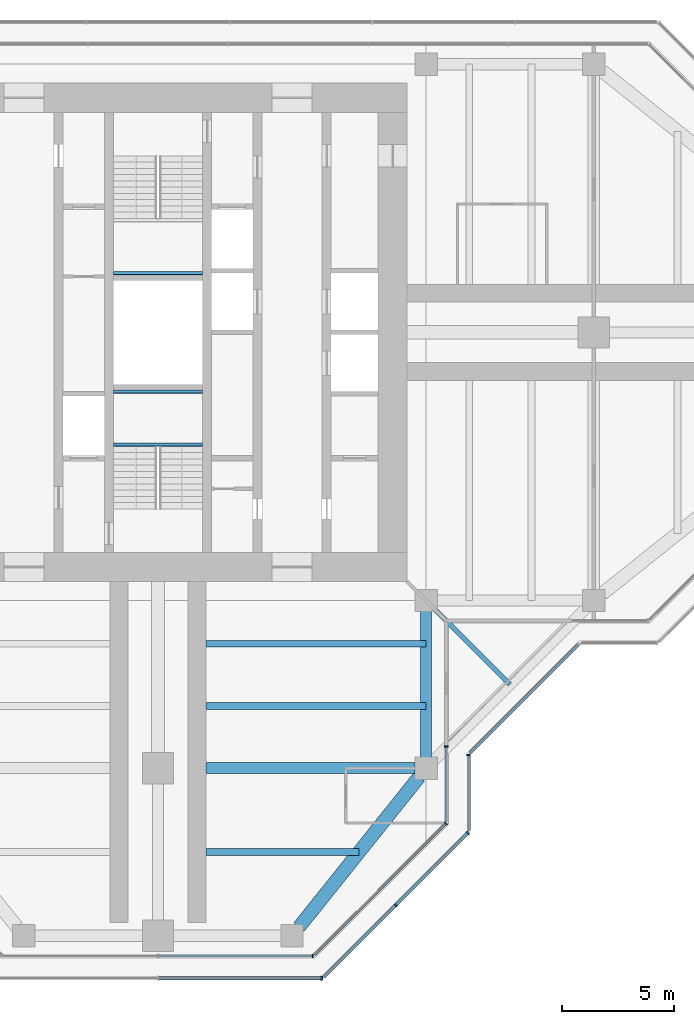
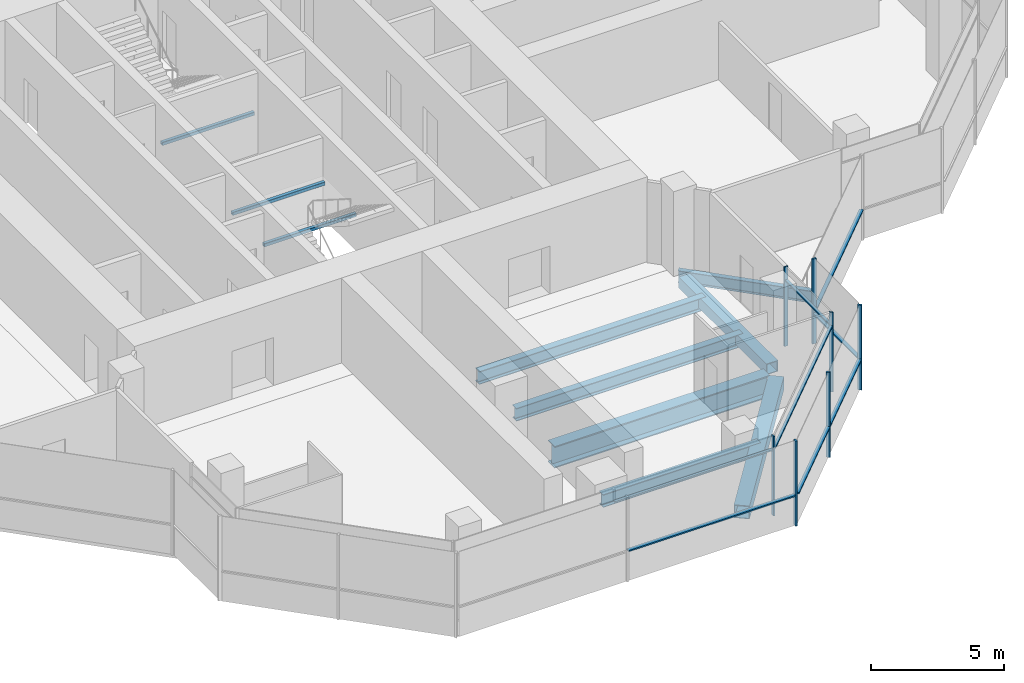
# One storey, part 4 of 15: 15 members, 10 beams, 7 elements without a shape of their own.
"""IFC4 building model written with IfcOpenShell, lengths in metres."""

from ifc_helpers import new_model, si_unit, direction, frame, origin, origin_2d, place, context, subcontext, project, spatial, rectangle, hollow_rectangle, i_section, extrude, material, material_profile, profile_set, type_object, element, aggregate, save


model = new_model("IFC4")

# Units and contexts
model_context = context("Model", 3, precision=1e-05, world=origin(), true_north=direction((0.0, 1.0)))
body_context = subcontext(model_context, "Body", "Model", "MODEL_VIEW")
ifc_project = project(units=[si_unit("LENGTHUNIT", "METRE"), si_unit("AREAUNIT", "SQUARE_METRE"), si_unit("VOLUMEUNIT", "CUBIC_METRE"), si_unit("PLANEANGLEUNIT", "RADIAN"), si_unit("MASSUNIT", "GRAM", prefix="KILO")], contexts=[model_context])

# Site, building, storey
site_placement = place(None, origin())
site = spatial("IfcSite", under=ifc_project, at=site_placement, CompositionType="ELEMENT")
building_placement = place(site_placement, origin())
building = spatial("IfcBuilding", under=site, at=building_placement, Name="Mizan Broadcast Tower", CompositionType="ELEMENT")
storey_placement = place(building_placement, frame((0.0, 0.0, 302.39990234375)))
storey = spatial("IfcBuildingStorey", under=building, at=storey_placement, Name="L72", CompositionType="ELEMENT", Elevation=302.39990234375)

# Beams
ifc_material_1 = material(Name="Steel S355", Category="steel")
ifc_material_profile_1 = material_profile(ifc_material_1, hollow_rectangle(XDim=0.5, YDim=0.5, WallThickness=0.030029296875, at=origin_2d()), Name="BOX 500x500x30")
ifc_profile_set_1 = profile_set([ifc_material_profile_1], Name="Steel S355")
beam_type_1 = type_object("IfcBeamType", Name="EDGE BEAM BOX 500x500x30", PredefinedType="SPANDREL", material=ifc_profile_set_1)
beam_1_placement = place(storey_placement, frame((12.0, -12.449951171875, -0.3798828125), z_axis=(0.0, -1.0, 0.0), x_axis=(1.0, 0.0, 0.0)))
element("IfcBeam", 1, at=beam_1_placement, inside=storey, type_object=beam_type_1, Name="Edge beam BOX 500x500x30 L72 south arm", PredefinedType="SPANDREL", context=body_context, shape_type="SweptSolid", body=[
    extrude(hollow_rectangle(XDim=0.5, YDim=0.5, WallThickness=0.030029296875, at=origin_2d()), origin(), (0.0, 0.0, 1.0), 6.60009765625),
])
ifc_material_2 = material(Name="Steel S355", Category="steel")
ifc_material_profile_2 = material_profile(ifc_material_2, hollow_rectangle(XDim=0.60009765625, YDim=0.60009765625, WallThickness=0.030029296875, at=origin_2d()), Name="BOX 600x600x30")
ifc_profile_set_2 = profile_set([ifc_material_profile_2], Name="Steel S355")
beam_type_2 = type_object("IfcBeamType", Name="EDGE BEAM BOX 600x600x30", PredefinedType="SPANDREL", material=ifc_profile_set_2)
beam_2_placement = place(storey_placement, frame((11.687744140625, -19.890380859375, -0.429931640625), z_axis=(-0.62470196761, -0.780863273348, 0.0), x_axis=(0.780863273348, -0.62470196761, 0.0)))
element("IfcBeam", 2, at=beam_2_placement, inside=storey, type_object=beam_type_2, Name="Edge beam BOX 600x600x30 L72 south arm", PredefinedType="SPANDREL", context=body_context, shape_type="SweptSolid", body=[
    extrude(hollow_rectangle(XDim=0.60009765625, YDim=0.60009765625, WallThickness=0.030029296875, at=origin_2d()), origin(), (0.0, 0.0, 1.0), 8.60498046875),
])
ifc_material_3 = material(Name="Steel S460", Category="steel")
ifc_material_profile_3 = material_profile(ifc_material_3, i_section(OverallWidth=0.5, OverallDepth=1.0, WebThickness=0.02490234375, FlangeThickness=0.050048828125, at=origin_2d()), Name="WPG 1000x500")
ifc_profile_set_3 = profile_set([ifc_material_profile_3], Name="Steel S460")
beam_type_3 = type_object("IfcBeamType", Name="GIRDER WPG 1000x500", PredefinedType="BEAM", material=ifc_profile_set_3)
beam_3_placement = place(storey_placement, frame((11.5, -19.5, -0.6298828125), z_axis=(-1.0, 0.0, 0.0), x_axis=(0.0, -1.0, 0.0)))
element("IfcBeam", 3, at=beam_3_placement, inside=storey, type_object=beam_type_3, Name="Girder WPG 1000x500 L72 south arm", PredefinedType="BEAM", context=body_context, shape_type="SweptSolid", body=[
    extrude(i_section(OverallWidth=0.5, OverallDepth=1.0, WebThickness=0.02490234375, FlangeThickness=0.050048828125, at=origin_2d()), origin(), (0.0, 0.0, 1.0), 9.35009765625),
])

# Curtain wall, member
ifc_material_4 = material(Name="Aluminium framed glazing", Category="aluminium")
curtain_wall_type_1 = type_object("IfcCurtainWallType", Name="INNER SKIN TOP ZONE", PredefinedType="USERDEFINED", material=ifc_material_4)
curtain_wall_1_placement = place(storey_placement, origin())
curtain_wall_1 = element("IfcCurtainWall", 4, at=curtain_wall_1_placement, inside=storey, type_object=curtain_wall_type_1, Name="Inner skin top zone L72 S end", ObjectType="INNER SKIN TOP ZONE", PredefinedType="USERDEFINED")
ifc_material_5 = material(Name="Aluminium, pale anodised", Category="aluminium")
ifc_material_profile_4 = material_profile(ifc_material_5, rectangle(XDim=0.159912109375, YDim=0.06005859375, at=origin_2d()), Name="MULLION 160x60")
ifc_profile_set_4 = profile_set([ifc_material_profile_4], Name="Aluminium, pale anodised")
member_type_1 = type_object("IfcMemberType", Name="INNER SKIN MULLION 60x160", PredefinedType="MULLION", material=ifc_profile_set_4)
member_1_placement = place(storey_placement, frame((6.928466796875, -27.89990234375, 0.0), z_axis=(0.0, 0.0, 1.0), x_axis=(0.0, 1.0, 0.0)))
member_1 = element("IfcMember", 5, at=member_1_placement, type_object=member_type_1, Name="Inner skin top zone L72 S end mullion 3", PredefinedType="MULLION", context=body_context, shape_type="SweptSolid", body=[
    extrude(rectangle(XDim=0.159912109375, YDim=0.06005859375, at=origin_2d()), origin(), (0.0, 0.0, 1.0), 3.650146484375),
])

curtain_wall_2_placement = place(storey_placement, origin())
curtain_wall_2 = element("IfcCurtainWall", 6, at=curtain_wall_2_placement, inside=storey, type_object=curtain_wall_type_1, Name="Inner skin top zone L72 S chamfer", ObjectType="INNER SKIN TOP ZONE", PredefinedType="USERDEFINED")
member_2_placement = place(storey_placement, frame((12.87890625, -21.979736328125, 0.0), z_axis=(0.0, 0.0, 1.0), x_axis=(-0.707106781187, 0.707106781187, 0.0)))
member_2 = element("IfcMember", 7, at=member_2_placement, type_object=member_type_1, Name="Inner skin top zone L72 S chamfer mullion 2", PredefinedType="MULLION", context=body_context, shape_type="SweptSolid", body=[
    extrude(rectangle(XDim=0.159912109375, YDim=0.06005859375, at=origin_2d()), origin(), (0.0, 0.0, 1.0), 3.650146484375),
])

curtain_wall_3_placement = place(storey_placement, origin())
curtain_wall_3 = element("IfcCurtainWall", 8, at=curtain_wall_3_placement, inside=storey, type_object=curtain_wall_type_1, Name="Inner skin top zone L72 S side", ObjectType="INNER SKIN TOP ZONE", PredefinedType="USERDEFINED")
member_3_placement = place(storey_placement, frame((12.89990234375, -18.530029296875, 0.0), z_axis=(0.0, 0.0, 1.0), x_axis=(-1.0, 0.0, 0.0)))
member_3 = element("IfcMember", 9, at=member_3_placement, type_object=member_type_1, Name="Inner skin top zone L72 S side mullion 2", PredefinedType="MULLION", context=body_context, shape_type="SweptSolid", body=[
    extrude(rectangle(XDim=0.159912109375, YDim=0.06005859375, at=origin_2d()), origin(), (0.0, 0.0, 1.0), 3.650146484375),
])

# Member
ifc_material_6 = material(Name="Aluminium, pale anodised", Category="aluminium")
ifc_material_profile_5 = material_profile(ifc_material_6, rectangle(XDim=0.1201171875, YDim=0.06005859375, at=origin_2d()), Name="TRANSOM 120x60")
ifc_profile_set_5 = profile_set([ifc_material_profile_5], Name="Aluminium, pale anodised")
member_type_2 = type_object("IfcMemberType", Name="INNER SKIN TRANSOM 60x120", PredefinedType="USERDEFINED", material=ifc_profile_set_5)
member_4_placement = place(storey_placement, frame((0.030029296875, -27.89990234375, 3.030029296875), z_axis=(1.0, 0.0, 0.0), x_axis=(0.0, 1.0, 0.0)))
member_4 = element("IfcMember", 10, at=member_4_placement, type_object=member_type_2, Name="Inner skin top zone L72 S end transom 2.1", ObjectType="TRANSOM", PredefinedType="USERDEFINED", context=body_context, shape_type="SweptSolid", body=[
    extrude(rectangle(XDim=0.1201171875, YDim=0.06005859375, at=origin_2d()), origin(), (0.0, 0.0, 1.0), 6.86865234375),
])

aggregate(curtain_wall_1, [member_1, member_4])

member_5_placement = place(storey_placement, frame((7.0009765625, -27.857666015625, 3.030029296875), z_axis=(0.707106781187, 0.707106781187, 0.0), x_axis=(-0.707106781187, 0.707106781187, 0.0)))
member_5 = element("IfcMember", 11, at=member_5_placement, type_object=member_type_2, Name="Inner skin top zone L72 S chamfer transom 1.1", ObjectType="TRANSOM", PredefinedType="USERDEFINED", context=body_context, shape_type="SweptSolid", body=[
    extrude(rectangle(XDim=0.1201171875, YDim=0.06005859375, at=origin_2d()), origin(), (0.0, 0.0, 1.0), 8.28271484375),
])

aggregate(curtain_wall_2, [member_2, member_5])

member_6_placement = place(storey_placement, frame((12.89990234375, -21.898681640625, 3.030029296875), z_axis=(0.0, 1.0, 0.0), x_axis=(-1.0, 0.0, 0.0)))
member_6 = element("IfcMember", 12, at=member_6_placement, type_object=member_type_2, Name="Inner skin top zone L72 S side transom 1.1", ObjectType="TRANSOM", PredefinedType="USERDEFINED", context=body_context, shape_type="SweptSolid", body=[
    extrude(rectangle(XDim=0.1201171875, YDim=0.06005859375, at=origin_2d()), origin(), (0.0, 0.0, 1.0), 3.338623046875),
])

aggregate(curtain_wall_3, [member_3, member_6])

# Beams
ifc_material_7 = material(Name="Steel S355", Category="steel")
ifc_material_profile_6 = material_profile(ifc_material_7, hollow_rectangle(XDim=0.14990234375, YDim=0.14990234375, WallThickness=0.008056640625, InnerFilletRadius=0.008056640625, OuterFilletRadius=0.011962890625, at=origin_2d()), Name="SHS 150x150x8")
ifc_profile_set_6 = profile_set([ifc_material_profile_6], Name="Steel S355")
beam_type_4 = type_object("IfcBeamType", Name="LANDING TRIMMER SHS 150x150x8", PredefinedType="BEAM", material=ifc_profile_set_6)
for number, where, z_axis, x_axis, name in (
    (13, (-2.0, -5.02490234375, 1.675048828125), (1.0, 0.0, 0.0), (0.0, 1.0, 0.0), "Stair A landing trimmer L72"),
    (14, (-2.0, -2.64990234375, 1.675048828125), (1.0, 0.0, 0.0), (0.0, 1.0, 0.0), "Stair A landing trimmer L72"),
    (15, (2.0, 2.64990234375, 1.675048828125), (-1.0, 0.0, 0.0), (0.0, -1.0, 0.0), "Stair B landing trimmer L72"),
):
    element("IfcBeam", number, at=place(storey_placement, frame(where, z_axis=z_axis, x_axis=x_axis)), inside=storey, type_object=beam_type_4, Name=name, PredefinedType="BEAM", context=body_context, shape_type="SweptSolid", body=[
        extrude(hollow_rectangle(XDim=0.14990234375, YDim=0.14990234375, WallThickness=0.008056640625, InnerFilletRadius=0.008056640625, OuterFilletRadius=0.011962890625, at=origin_2d()), origin(), (0.0, 0.0, 1.0), 4.0),
    ])

# Curtain wall, member
ifc_material_8 = material(Name="Aluminium framed glazing", Category="aluminium")
curtain_wall_type_2 = type_object("IfcCurtainWallType", Name="OUTER SKIN", PredefinedType="USERDEFINED", material=ifc_material_8)
curtain_wall_4_placement = place(storey_placement, origin())
curtain_wall_4 = element("IfcCurtainWall", 16, at=curtain_wall_4_placement, inside=storey, type_object=curtain_wall_type_2, Name="Outer skin L72 S end", ObjectType="OUTER SKIN", PredefinedType="USERDEFINED")
ifc_material_9 = material(Name="Aluminium, pale anodised", Category="aluminium")
ifc_material_profile_7 = material_profile(ifc_material_9, rectangle(XDim=0.159912109375, YDim=0.080078125, at=origin_2d()), Name="MULLION 160x80")
ifc_profile_set_7 = profile_set([ifc_material_profile_7], Name="Aluminium, pale anodised")
member_type_3 = type_object("IfcMemberType", Name="OUTER SKIN MULLION 80x160", PredefinedType="MULLION", material=ifc_profile_set_7)
member_7_placement = place(storey_placement, frame((7.332763671875, -28.89990234375, 0.0), z_axis=(0.0, 0.0, 1.0), x_axis=(0.0, 1.0, 0.0)))
member_7 = element("IfcMember", 17, at=member_7_placement, type_object=member_type_3, Name="Outer skin L72 S end mullion 3", PredefinedType="MULLION", context=body_context, shape_type="SweptSolid", body=[
    extrude(rectangle(XDim=0.159912109375, YDim=0.080078125, at=origin_2d()), origin(), (0.0, 0.0, 1.0), 3.900146484375),
])

# Curtain wall, members
curtain_wall_5_placement = place(storey_placement, origin())
curtain_wall_5 = element("IfcCurtainWall", 18, at=curtain_wall_5_placement, inside=storey, type_object=curtain_wall_type_2, Name="Outer skin L72 S chamfer", ObjectType="OUTER SKIN", PredefinedType="USERDEFINED")
member_8_placement = place(storey_placement, frame((10.636474609375, -25.636474609375, 0.0), z_axis=(0.0, 0.0, 1.0), x_axis=(-0.707106781187, 0.707106781187, 0.0)))
member_8 = element("IfcMember", 19, at=member_8_placement, type_object=member_type_3, Name="Outer skin L72 S chamfer mullion 2", PredefinedType="MULLION", context=body_context, shape_type="SweptSolid", body=[
    extrude(rectangle(XDim=0.159912109375, YDim=0.080078125, at=origin_2d()), origin(), (0.0, 0.0, 1.0), 3.900146484375),
])
member_9_placement = place(storey_placement, frame((13.871826171875, -22.401123046875, 0.0), z_axis=(0.0, 0.0, 1.0), x_axis=(-0.707106781187, 0.707106781187, 0.0)))
member_9 = element("IfcMember", 20, at=member_9_placement, type_object=member_type_3, Name="Outer skin L72 S chamfer mullion 3", PredefinedType="MULLION", context=body_context, shape_type="SweptSolid", body=[
    extrude(rectangle(XDim=0.159912109375, YDim=0.080078125, at=origin_2d()), origin(), (0.0, 0.0, 1.0), 3.900146484375),
])

# Curtain wall, member
curtain_wall_6_placement = place(storey_placement, origin())
curtain_wall_6 = element("IfcCurtainWall", 21, at=curtain_wall_6_placement, inside=storey, type_object=curtain_wall_type_2, Name="Outer skin L72 S side", ObjectType="OUTER SKIN", PredefinedType="USERDEFINED")
member_10_placement = place(storey_placement, frame((13.89990234375, -18.912841796875, 0.0), z_axis=(0.0, 0.0, 1.0), x_axis=(-1.0, 0.0, 0.0)))
member_10 = element("IfcMember", 22, at=member_10_placement, type_object=member_type_3, Name="Outer skin L72 S side mullion 2", PredefinedType="MULLION", context=body_context, shape_type="SweptSolid", body=[
    extrude(rectangle(XDim=0.159912109375, YDim=0.080078125, at=origin_2d()), origin(), (0.0, 0.0, 1.0), 3.900146484375),
])

# Member
ifc_material_10 = material(Name="Aluminium, pale anodised", Category="aluminium")
ifc_material_profile_8 = material_profile(ifc_material_10, rectangle(XDim=0.159912109375, YDim=0.06005859375, at=origin_2d()), Name="TRANSOM 160x60")
ifc_profile_set_8 = profile_set([ifc_material_profile_8], Name="Aluminium, pale anodised")
member_type_4 = type_object("IfcMemberType", Name="OUTER SKIN TRANSOM 60x160", PredefinedType="USERDEFINED", material=ifc_profile_set_8)
member_11_placement = place(storey_placement, frame((0.0400390625, -28.89990234375, 1.400146484375), z_axis=(1.0, 0.0, 0.0), x_axis=(0.0, 1.0, 0.0)))
member_11 = element("IfcMember", 23, at=member_11_placement, type_object=member_type_4, Name="Outer skin L72 S end transom 2.1", ObjectType="TRANSOM", PredefinedType="USERDEFINED", context=body_context, shape_type="SweptSolid", body=[
    extrude(rectangle(XDim=0.159912109375, YDim=0.06005859375, at=origin_2d()), origin(), (0.0, 0.0, 1.0), 7.252685546875),
])

aggregate(curtain_wall_4, [member_7, member_11])

member_12_placement = place(storey_placement, frame((7.429443359375, -28.843505859375, 1.400146484375), z_axis=(0.707106781187, 0.707106781187, 0.0), x_axis=(-0.707106781187, 0.707106781187, 0.0)))
member_12 = element("IfcMember", 24, at=member_12_placement, type_object=member_type_4, Name="Outer skin L72 S chamfer transom 1.1", ObjectType="TRANSOM", PredefinedType="USERDEFINED", context=body_context, shape_type="SweptSolid", body=[
    extrude(rectangle(XDim=0.159912109375, YDim=0.06005859375, at=origin_2d()), origin(), (0.0, 0.0, 1.0), 4.495361328125),
])

member_13_placement = place(storey_placement, frame((10.664794921875, -25.608154296875, 1.400146484375), z_axis=(0.707106781187, 0.707106781187, 0.0), x_axis=(-0.707106781187, 0.707106781187, 0.0)))
member_13 = element("IfcMember", 25, at=member_13_placement, type_object=member_type_4, Name="Outer skin L72 S chamfer transom 2.1", ObjectType="TRANSOM", PredefinedType="USERDEFINED", context=body_context, shape_type="SweptSolid", body=[
    extrude(rectangle(XDim=0.159912109375, YDim=0.06005859375, at=origin_2d()), origin(), (0.0, 0.0, 1.0), 4.495361328125),
])

aggregate(curtain_wall_5, [member_8, member_9, member_12, member_13])

member_14_placement = place(storey_placement, frame((13.89990234375, -22.292724609375, 1.400146484375), z_axis=(0.0, 1.0, 0.0), x_axis=(-1.0, 0.0, 0.0)))
member_14 = element("IfcMember", 26, at=member_14_placement, type_object=member_type_4, Name="Outer skin L72 S side transom 1.1", ObjectType="TRANSOM", PredefinedType="USERDEFINED", context=body_context, shape_type="SweptSolid", body=[
    extrude(rectangle(XDim=0.159912109375, YDim=0.06005859375, at=origin_2d()), origin(), (0.0, 0.0, 1.0), 3.33984375),
])

aggregate(curtain_wall_6, [member_10, member_14])

# Curtain wall, member
curtain_wall_7_placement = place(storey_placement, origin())
curtain_wall_7 = element("IfcCurtainWall", 27, at=curtain_wall_7_placement, inside=storey, type_object=curtain_wall_type_2, Name="Outer skin L72 E chamfer", ObjectType="OUTER SKIN", PredefinedType="USERDEFINED")
member_15_placement = place(storey_placement, frame((13.95654296875, -18.816162109375, 1.400146484375), z_axis=(0.707106781187, 0.707106781187, 0.0), x_axis=(-0.707106781187, 0.707106781187, 0.0)))
member_15 = element("IfcMember", 28, at=member_15_placement, type_object=member_type_4, Name="Outer skin L72 E chamfer transom 1.1", ObjectType="TRANSOM", PredefinedType="USERDEFINED", context=body_context, shape_type="SweptSolid", body=[
    extrude(rectangle(XDim=0.159912109375, YDim=0.06005859375, at=origin_2d()), origin(), (0.0, 0.0, 1.0), 6.87255859375),
])
aggregate(curtain_wall_7, [member_15])

# Beams
ifc_material_11 = material(Name="Steel S355", Category="steel")
ifc_material_profile_9 = material_profile(ifc_material_11, i_section(OverallWidth=0.300048828125, OverallDepth=0.590087890625, WebThickness=0.012939453125, FlangeThickness=0.02490234375, FilletRadius=0.027099609375, at=origin_2d()), Name="HEA 600")
ifc_profile_set_9 = profile_set([ifc_material_profile_9], Name="Steel S355")
beam_type_5 = type_object("IfcBeamType", Name="SECONDARY BEAM HEA 600", PredefinedType="JOIST", material=ifc_profile_set_9)
for number, where, z_axis, x_axis, name in (
    (29, (12.0, -13.933349609375, -0.4248046875), (-1.0, 0.0, 0.0), (0.0, -1.0, 0.0), "Secondary beam HEA 600 L72 south arm"),
    (30, (12.0, -16.716552734375, -0.4248046875), (-1.0, 0.0, 0.0), (0.0, -1.0, 0.0), "Secondary beam HEA 600 L72 south arm"),
):
    element("IfcBeam", number, at=place(storey_placement, frame(where, z_axis=z_axis, x_axis=x_axis)), inside=storey, type_object=beam_type_5, Name=name, PredefinedType="JOIST", context=body_context, shape_type="SweptSolid", body=[
        extrude(i_section(OverallWidth=0.300048828125, OverallDepth=0.590087890625, WebThickness=0.012939453125, FlangeThickness=0.02490234375, FilletRadius=0.027099609375, at=origin_2d()), origin(), (0.0, 0.0, 1.0), 9.85009765625),
    ])
beam_4_placement = place(storey_placement, frame((9.0, -23.25, -0.4248046875), z_axis=(-1.0, 0.0, 0.0), x_axis=(0.0, -1.0, 0.0)))
element("IfcBeam", 31, at=beam_4_placement, inside=storey, type_object=beam_type_5, Name="Secondary beam HEA 600 L72 south arm", PredefinedType="JOIST", context=body_context, shape_type="SweptSolid", body=[
    extrude(i_section(OverallWidth=0.300048828125, OverallDepth=0.590087890625, WebThickness=0.012939453125, FlangeThickness=0.02490234375, FilletRadius=0.027099609375, at=origin_2d()), origin(), (0.0, 0.0, 1.0), 6.85009765625),
])
ifc_material_12 = material(Name="Steel S355", Category="steel")
ifc_material_profile_10 = material_profile(ifc_material_12, i_section(OverallWidth=0.2099609375, OverallDepth=0.550048828125, WebThickness=0.010986328125, FlangeThickness=0.01708984375, FilletRadius=0.02392578125, at=origin_2d()), Name="IPE 550")
ifc_profile_set_10 = profile_set([ifc_material_profile_10], Name="Steel S355")
beam_type_6 = type_object("IfcBeamType", Name="SECONDARY BEAM IPE 550", PredefinedType="JOIST", material=ifc_profile_set_10)
beam_5_placement = place(storey_placement, frame((12.0, -12.0, -0.40478515625), z_axis=(0.707106781187, -0.707106781187, 0.0), x_axis=(0.707106781187, 0.707106781187, 0.0)))
element("IfcBeam", 32, at=beam_5_placement, inside=storey, type_object=beam_type_6, Name="Winter garden beam L72 S", PredefinedType="JOIST", context=body_context, shape_type="SweptSolid", body=[
    extrude(i_section(OverallWidth=0.2099609375, OverallDepth=0.550048828125, WebThickness=0.010986328125, FlangeThickness=0.01708984375, FilletRadius=0.02392578125, at=origin_2d()), origin(), (0.0, 0.0, 1.0), 5.30322265625),
])

save(model, "model.ifc")
